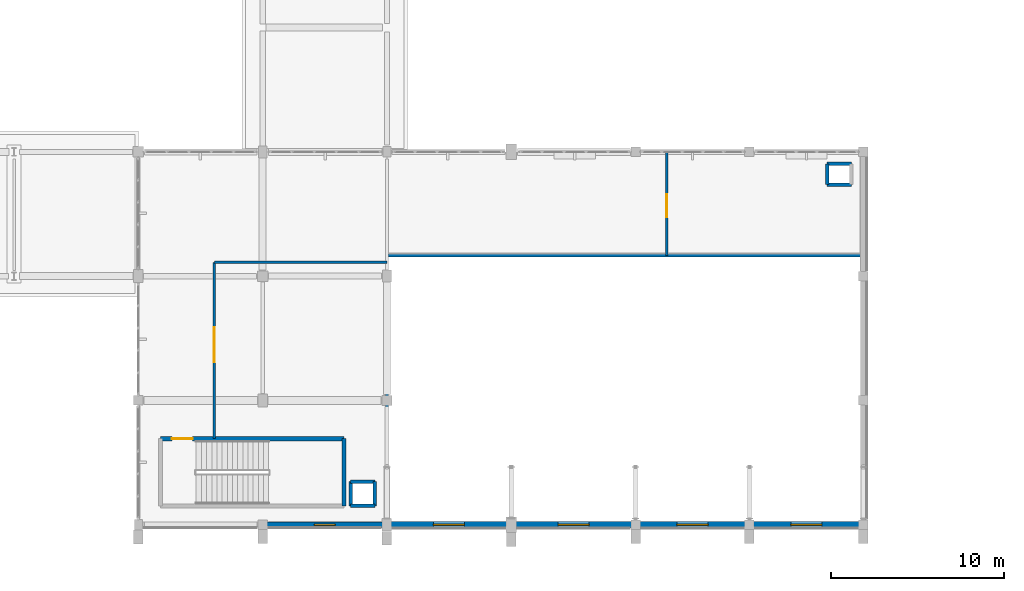
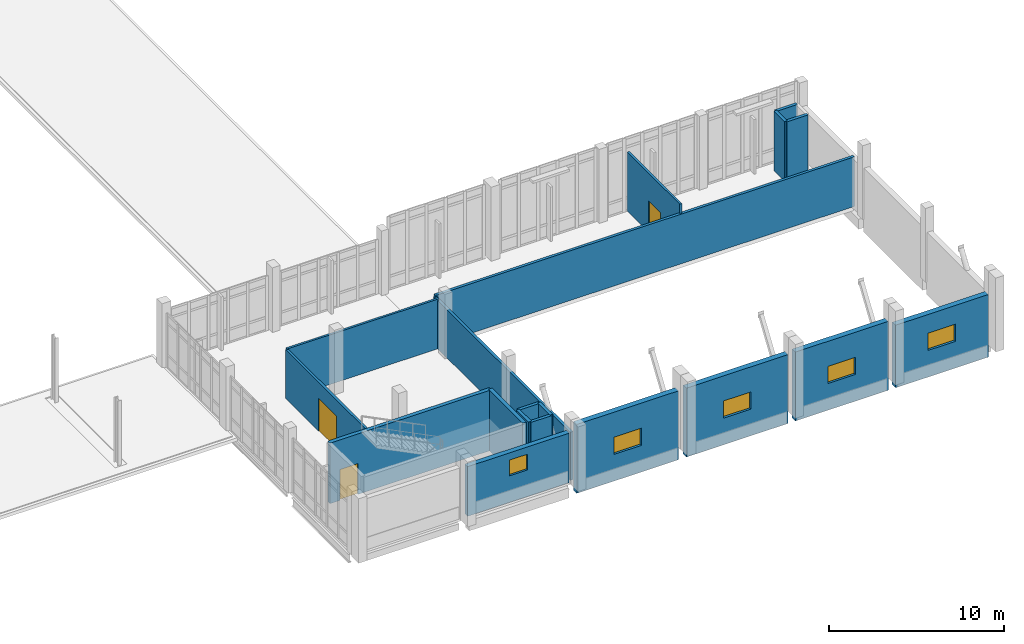
# One storey, part 114 of 134: 19 walls, 5 windows, 3 doors, 8 openings.
"""IFC4 building model written with IfcOpenShell, lengths in metres."""

from ifc_helpers import new_model, si_unit, direction, frame, frame_2d, origin, place, context, subcontext, project, spatial, rectangle, extrude, material, layer, layer_set, type_object, element, fill, save


model = new_model("IFC4")

# Units and contexts
model_context = context("Model", 3, precision=1e-05, world=origin(), true_north=direction((0.0, 1.0)))
body_context = subcontext(model_context, "Body", "Model", "MODEL_VIEW")
ifc_project = project(units=[si_unit("LENGTHUNIT", "METRE"), si_unit("AREAUNIT", "SQUARE_METRE"), si_unit("VOLUMEUNIT", "CUBIC_METRE"), si_unit("PLANEANGLEUNIT", "RADIAN"), si_unit("MASSUNIT", "GRAM", prefix="KILO")], contexts=[model_context])

# Site, building, storey
site_placement = place(None, origin())
site = spatial("IfcSite", under=ifc_project, at=site_placement, CompositionType="ELEMENT")
building_placement = place(site_placement, origin())
building = spatial("IfcBuilding", under=site, at=building_placement, Name="Kalluvel Institute of Natural Sciences", CompositionType="ELEMENT")
storey_placement = place(building_placement, frame((0.0, 0.0, 5.39990234375)))
storey = spatial("IfcBuildingStorey", under=building, at=storey_placement, Name="L01", CompositionType="ELEMENT", Elevation=5.39990234375)

# Wall
ifc_material_1 = material(Name="Concrete M40", Category="concrete")
ifc_layer_1 = layer(ifc_material_1, 0.25)
ifc_layer_set_1 = layer_set([ifc_layer_1], Name="Concrete M40")
wall_type_1 = type_object("IfcWallType", Name="WL-CORE-250", PredefinedType="SHEAR", material=ifc_layer_set_1)
wall_1_placement = place(storey_placement, frame((112.31494140625, 15.0849609375, 0.0), z_axis=(0.0, 0.0, 1.0), x_axis=(0.0, 1.0, 0.0)))
element("IfcWall", 1, at=wall_1_placement, inside=storey, type_object=wall_type_1, Name="ST7 L01 core wall E", PredefinedType="SHEAR", context=body_context, shape_type="SweptSolid", body=[
    extrude(rectangle(XDim=3.900146484375, YDim=0.25, at=frame_2d((1.9501953125, 0.0))), origin(), (0.0, 0.0, 1.0), 4.215087890625),
])

# Wall, opening, door
wall_2_placement = place(storey_placement, frame((112.31494140625, 18.985107421875, 0.0), z_axis=(0.0, 0.0, 1.0), x_axis=(-1.0, 0.0, 0.0)))
wall_2 = element("IfcWall", 2, at=wall_2_placement, inside=storey, type_object=wall_type_1, Name="ST7 L01 core wall N", PredefinedType="SHEAR", context=body_context, shape_type="SweptSolid", body=[
    extrude(rectangle(XDim=10.6298828125, YDim=0.25, at=frame_2d((5.31494140625, 0.0))), origin(), (0.0, 0.0, 1.0), 4.215087890625),
])
opening_1_placement = place(wall_2_placement, frame((8.780029296875, 0.0, 0.0)))
opening_1 = element("IfcOpeningElement", 3, at=opening_1_placement, cuts=wall_2, Name="Opening DS-047", PredefinedType="OPENING", context=body_context, shape_type="SweptSolid", body=[
    extrude(rectangle(XDim=1.199951171875, YDim=2.14990234375, at=frame_2d((0.60009765625, 1.074951171875))), frame((0.0, 0.135009765625, 0.0), z_axis=(0.0, -1.0, 0.0), x_axis=(1.0, 0.0, 0.0)), (0.0, 0.0, 1.0), 0.27001953125),
])
ifc_material_2 = material(Name="Galvanized Fire-Rated Steel", Category="steel")
door_type_1 = type_object("IfcDoorType", Name="DR-ST-1200", OperationType="NOTDEFINED", PredefinedType="DOOR", material=ifc_material_2)
door_1_placement = place(opening_1_placement, origin())
door_1 = element("IfcDoor", 4, at=door_1_placement, inside=storey, type_object=door_type_1, Name="ST7 L01 protected stair door DS-047", OperationType="SINGLE_SWING_RIGHT", OverallHeight=2.14990234375, OverallWidth=1.199951171875, PredefinedType="DOOR", context=body_context, shape_type="SweptSolid", body=[
    extrude(rectangle(XDim=1.199951171875, YDim=2.14990234375, at=frame_2d((0.60009765625, 1.074951171875))), frame((0.0, 0.02490234375, 0.0), z_axis=(0.0, -1.0, 0.0), x_axis=(1.0, 0.0, 0.0)), (0.0, 0.0, 1.0), 0.050048828125),
])
fill(opening_1, door_1)

# Wall, opening, window
ifc_material_3 = material(Name="Sadarahalli Grey Granite Ashlar Concrete M40", Category="masonry")
ifc_layer_2 = layer(ifc_material_3, 0.320068359375)
ifc_layer_set_2 = layer_set([ifc_layer_2], Name="Sadarahalli Grey Granite Ashlar Concrete M40")
wall_type_2 = type_object("IfcWallType", Name="WL-EXT-320", PredefinedType="SOLIDWALL", material=ifc_layer_set_2)
wall_3_placement = place(storey_placement, frame((107.85498046875, 14.0, 0.0), z_axis=(0.0, 0.0, 1.0), x_axis=(1.0, 0.0, 0.0)))
wall_3 = element("IfcWall", 5, at=wall_3_placement, inside=storey, type_object=wall_type_2, Name="L01 Sadarahalli granite exterior wall WL-EXT-L01-0222", PredefinedType="SOLIDWALL", context=body_context, shape_type="SweptSolid", body=[
    extrude(rectangle(XDim=6.68994140625, YDim=0.320068359375, at=frame_2d((3.344970703125, 0.0))), origin(), (0.0, 0.0, 1.0), 3.455078125),
])
opening_2_placement = place(wall_3_placement, frame((2.7451171875, 0.0, 1.85009765625)))
opening_2 = element("IfcOpeningElement", 6, at=opening_2_placement, cuts=wall_3, Name="Opening W-11", PredefinedType="OPENING", context=body_context, shape_type="SweptSolid", body=[
    extrude(rectangle(XDim=1.199951171875, YDim=1.10009765625, at=frame_2d((0.60009765625, 0.550048828125))), frame((0.0, 0.169921875, 0.0), z_axis=(0.0, -1.0, 0.0), x_axis=(1.0, 0.0, 0.0)), (0.0, 0.0, 1.0), 0.340087890625),
])
ifc_material_4 = material(Name="Solar-Control Low-E Laminated Glass", Category="glass")
window_type_1 = type_object("IfcWindowType", Name="WN-HIGH-120x110", PartitioningType="SINGLE_PANEL", PredefinedType="WINDOW", material=ifc_material_4)
window_1_placement = place(opening_2_placement, origin())
window_1 = element("IfcWindow", 7, at=window_1_placement, inside=storey, type_object=window_type_1, Name="L01 Gothic lancet window 36", OverallHeight=1.10009765625, OverallWidth=1.199951171875, PartitioningType="SINGLE_PANEL", PredefinedType="WINDOW", context=body_context, shape_type="SweptSolid", body=[
    extrude(rectangle(XDim=1.199951171875, YDim=1.10009765625, at=frame_2d((0.60009765625, 0.550048828125))), frame((0.0, 0.030029296875, 0.0), z_axis=(0.0, -1.0, 0.0), x_axis=(1.0, 0.0, 0.0)), (0.0, 0.0, 1.0), 0.06005859375),
])
fill(opening_2, window_1)

ifc_layer_3 = layer(ifc_material_3, 0.360107421875)
ifc_layer_set_3 = layer_set([ifc_layer_3], Name="Sadarahalli Grey Granite Ashlar Concrete M40")
wall_type_3 = type_object("IfcWallType", Name="WL-EXT-360", PredefinedType="SOLIDWALL", material=ifc_layer_set_3)
wall_4_placement = place(storey_placement, frame((115.034912109375, 14.0, -0.89990234375), z_axis=(0.0, 0.0, 1.0), x_axis=(1.0, 0.0, 0.0)))
wall_4 = element("IfcWall", 8, at=wall_4_placement, inside=storey, type_object=wall_type_3, Name="L01 Sadarahalli granite exterior wall WL-EXT-L01-0273", PredefinedType="SOLIDWALL", context=body_context, shape_type="SweptSolid", body=[
    extrude(rectangle(XDim=6.705078125, YDim=0.360107421875, at=frame_2d((3.3525390625, 0.0))), origin(), (0.0, 0.0, 1.0), 4.794921875),
])
opening_3_placement = place(wall_4_placement, frame((2.452392578125, 0.0, 1.85009765625)))
opening_3 = element("IfcOpeningElement", 9, at=opening_3_placement, cuts=wall_4, Name="Opening W-13", PredefinedType="OPENING", context=body_context, shape_type="SweptSolid", body=[
    extrude(rectangle(XDim=1.800048828125, YDim=1.199951171875, at=frame_2d((0.89990234375, 0.60009765625))), frame((0.0, 0.18994140625, 0.0), z_axis=(0.0, -1.0, 0.0), x_axis=(1.0, 0.0, 0.0)), (0.0, 0.0, 1.0), 0.380126953125),
])
window_type_2 = type_object("IfcWindowType", Name="WN-HIGH-180x120", PartitioningType="SINGLE_PANEL", PredefinedType="WINDOW", material=ifc_material_4)
window_2_placement = place(opening_3_placement, origin())
window_2 = element("IfcWindow", 10, at=window_2_placement, inside=storey, type_object=window_type_2, Name="L01 Gothic lancet window 57", OverallHeight=1.199951171875, OverallWidth=1.800048828125, PartitioningType="SINGLE_PANEL", PredefinedType="WINDOW", context=body_context, shape_type="SweptSolid", body=[
    extrude(rectangle(XDim=1.800048828125, YDim=1.199951171875, at=frame_2d((0.89990234375, 0.60009765625))), frame((0.0, 0.030029296875, 0.0), z_axis=(0.0, -1.0, 0.0), x_axis=(1.0, 0.0, 0.0)), (0.0, 0.0, 1.0), 0.06005859375),
])
fill(opening_3, window_2)

wall_5_placement = place(storey_placement, frame((122.260009765625, 14.0, -0.89990234375), z_axis=(0.0, 0.0, 1.0), x_axis=(1.0, 0.0, 0.0)))
wall_5 = element("IfcWall", 11, at=wall_5_placement, inside=storey, type_object=wall_type_3, Name="L01 Sadarahalli granite exterior wall WL-EXT-L01-0274", PredefinedType="SOLIDWALL", context=body_context, shape_type="SweptSolid", body=[
    extrude(rectangle(XDim=6.705078125, YDim=0.360107421875, at=frame_2d((3.3525390625, 0.0))), origin(), (0.0, 0.0, 1.0), 4.794921875),
])
opening_4_placement = place(wall_5_placement, frame((2.452392578125, 0.0, 1.85009765625)))
opening_4 = element("IfcOpeningElement", 12, at=opening_4_placement, cuts=wall_5, Name="Opening W-13", PredefinedType="OPENING", context=body_context, shape_type="SweptSolid", body=[
    extrude(rectangle(XDim=1.800048828125, YDim=1.199951171875, at=frame_2d((0.89990234375, 0.60009765625))), frame((0.0, 0.18994140625, 0.0), z_axis=(0.0, -1.0, 0.0), x_axis=(1.0, 0.0, 0.0)), (0.0, 0.0, 1.0), 0.380126953125),
])
window_3_placement = place(opening_4_placement, origin())
window_3 = element("IfcWindow", 13, at=window_3_placement, inside=storey, type_object=window_type_2, Name="L01 Gothic lancet window 58", OverallHeight=1.199951171875, OverallWidth=1.800048828125, PartitioningType="SINGLE_PANEL", PredefinedType="WINDOW", context=body_context, shape_type="SweptSolid", body=[
    extrude(rectangle(XDim=1.800048828125, YDim=1.199951171875, at=frame_2d((0.89990234375, 0.60009765625))), frame((0.0, 0.030029296875, 0.0), z_axis=(0.0, -1.0, 0.0), x_axis=(1.0, 0.0, 0.0)), (0.0, 0.0, 1.0), 0.06005859375),
])
fill(opening_4, window_3)

wall_6_placement = place(storey_placement, frame((129.43505859375, 14.0, -0.89990234375), z_axis=(0.0, 0.0, 1.0), x_axis=(1.0, 0.0, 0.0)))
wall_6 = element("IfcWall", 14, at=wall_6_placement, inside=storey, type_object=wall_type_3, Name="L01 Sadarahalli granite exterior wall WL-EXT-L01-0275", PredefinedType="SOLIDWALL", context=body_context, shape_type="SweptSolid", body=[
    extrude(rectangle(XDim=6.1298828125, YDim=0.360107421875, at=frame_2d((3.06494140625, 0.0))), origin(), (0.0, 0.0, 1.0), 4.794921875),
])
opening_5_placement = place(wall_6_placement, frame((2.1650390625, 0.0, 1.85009765625)))
opening_5 = element("IfcOpeningElement", 15, at=opening_5_placement, cuts=wall_6, Name="Opening W-13", PredefinedType="OPENING", context=body_context, shape_type="SweptSolid", body=[
    extrude(rectangle(XDim=1.800048828125, YDim=1.199951171875, at=frame_2d((0.89990234375, 0.60009765625))), frame((0.0, 0.18994140625, 0.0), z_axis=(0.0, -1.0, 0.0), x_axis=(1.0, 0.0, 0.0)), (0.0, 0.0, 1.0), 0.380126953125),
])
window_4_placement = place(opening_5_placement, origin())
window_4 = element("IfcWindow", 16, at=window_4_placement, inside=storey, type_object=window_type_2, Name="L01 Gothic lancet window 59", OverallHeight=1.199951171875, OverallWidth=1.800048828125, PartitioningType="SINGLE_PANEL", PredefinedType="WINDOW", context=body_context, shape_type="SweptSolid", body=[
    extrude(rectangle(XDim=1.800048828125, YDim=1.199951171875, at=frame_2d((0.89990234375, 0.60009765625))), frame((0.0, 0.030029296875, 0.0), z_axis=(0.0, -1.0, 0.0), x_axis=(1.0, 0.0, 0.0)), (0.0, 0.0, 1.0), 0.06005859375),
])
fill(opening_5, window_4)

wall_7_placement = place(storey_placement, frame((136.034912109375, 14.0, -0.89990234375), z_axis=(0.0, 0.0, 1.0), x_axis=(1.0, 0.0, 0.0)))
wall_7 = element("IfcWall", 17, at=wall_7_placement, inside=storey, type_object=wall_type_3, Name="L01 Sadarahalli granite exterior wall WL-EXT-L01-0276", PredefinedType="SOLIDWALL", context=body_context, shape_type="SweptSolid", body=[
    extrude(rectangle(XDim=6.130126953125, YDim=0.360107421875, at=frame_2d((3.06494140625, 0.0))), origin(), (0.0, 0.0, 1.0), 4.35498046875),
])
opening_6_placement = place(wall_7_placement, frame((2.1650390625, 0.0, 1.85009765625)))
opening_6 = element("IfcOpeningElement", 18, at=opening_6_placement, cuts=wall_7, Name="Opening W-13", PredefinedType="OPENING", context=body_context, shape_type="SweptSolid", body=[
    extrude(rectangle(XDim=1.800048828125, YDim=1.199951171875, at=frame_2d((0.89990234375, 0.60009765625))), frame((0.0, 0.18994140625, 0.0), z_axis=(0.0, -1.0, 0.0), x_axis=(1.0, 0.0, 0.0)), (0.0, 0.0, 1.0), 0.380126953125),
])
window_5_placement = place(opening_6_placement, origin())
window_5 = element("IfcWindow", 19, at=window_5_placement, inside=storey, type_object=window_type_2, Name="L01 Gothic lancet window 60", OverallHeight=1.199951171875, OverallWidth=1.800048828125, PartitioningType="SINGLE_PANEL", PredefinedType="WINDOW", context=body_context, shape_type="SweptSolid", body=[
    extrude(rectangle(XDim=1.800048828125, YDim=1.199951171875, at=frame_2d((0.89990234375, 0.60009765625))), frame((0.0, 0.030029296875, 0.0), z_axis=(0.0, -1.0, 0.0), x_axis=(1.0, 0.0, 0.0)), (0.0, 0.0, 1.0), 0.06005859375),
])
fill(opening_6, window_5)

# Walls
ifc_material_5 = material(Name="Autoclaved Aerated Concrete Masonry Block", Category="masonry")
ifc_layer_4 = layer(ifc_material_5, 0.179931640625)
ifc_layer_set_4 = layer_set([ifc_layer_4], Name="Autoclaved Aerated Concrete Masonry Block")
wall_type_4 = type_object("IfcWallType", Name="WL-FIRE-180", PredefinedType="SOLIDWALL", material=ifc_layer_set_4)
wall_8_placement = place(storey_placement, frame((114.800048828125, 29.60009765625, 0.0), z_axis=(0.0, 0.0, 1.0), x_axis=(1.0, 0.0, 0.0)))
element("IfcWall", 20, at=wall_8_placement, inside=storey, type_object=wall_type_4, Name="L01 interior fire wall WL-INT-L01-0123", PredefinedType="SOLIDWALL", context=body_context, shape_type="SweptSolid", body=[
    extrude(rectangle(XDim=27.599853515625, YDim=0.179931640625, at=frame_2d((13.7998046875, 0.0))), origin(), (0.0, 0.0, 1.0), 3.460205078125),
])
wall_9_placement = place(storey_placement, frame((114.800048828125, 14.0, 0.0), z_axis=(0.0, 0.0, 1.0), x_axis=(0.0, 1.0, 0.0)))
element("IfcWall", 21, at=wall_9_placement, inside=storey, type_object=wall_type_4, Name="L01 interior fire wall WL-INT-L01-0125", PredefinedType="SOLIDWALL", context=body_context, shape_type="SweptSolid", body=[
    extrude(rectangle(XDim=15.60009765625, YDim=0.179931640625, at=frame_2d((7.800048828125, 0.0))), origin(), (0.0, 0.0, 1.0), 3.360107421875),
])
ifc_material_6 = material(Name="Acoustic Gypsum Twin-Stud Partition", Category="gypsum")
ifc_layer_5 = layer(ifc_material_6, 0.139892578125)
ifc_layer_set_5 = layer_set([ifc_layer_5], Name="Acoustic Gypsum Twin-Stud Partition")
wall_type_5 = type_object("IfcWallType", Name="WL-PART-140", PredefinedType="PARTITIONING", material=ifc_layer_set_5)
wall_10_placement = place(storey_placement, frame((104.800048828125, 29.199951171875, 0.0), z_axis=(0.0, 0.0, 1.0), x_axis=(1.0, 0.0, 0.0)))
element("IfcWall", 22, at=wall_10_placement, inside=storey, type_object=wall_type_5, Name="L01 interior partition wall WL-INT-L01-0115", PredefinedType="PARTITIONING", context=body_context, shape_type="SweptSolid", body=[
    extrude(rectangle(XDim=10.0, YDim=0.139892578125, at=frame_2d((5.0, 0.0))), origin(), (0.0, 0.0, 1.0), 3.460205078125),
])

# Wall, opening, door
wall_11_placement = place(storey_placement, frame((131.0, 29.60009765625, 0.0), z_axis=(0.0, 0.0, 1.0), x_axis=(0.0, 1.0, 0.0)))
wall_11 = element("IfcWall", 23, at=wall_11_placement, inside=storey, type_object=wall_type_5, Name="L01 interior partition wall WL-INT-L01-0124", PredefinedType="PARTITIONING", context=body_context, shape_type="SweptSolid", body=[
    extrude(rectangle(XDim=6.0, YDim=0.139892578125, at=frame_2d((3.0, 0.0))), origin(), (0.0, 0.0, 1.0), 4.1201171875),
])
opening_7_placement = place(wall_11_placement, frame((2.199951171875, 0.0, 0.0)))
opening_7 = element("IfcOpeningElement", 24, at=opening_7_placement, cuts=wall_11, Name="Opening D-120", PredefinedType="OPENING", context=body_context, shape_type="SweptSolid", body=[
    extrude(rectangle(XDim=1.35009765625, YDim=2.199951171875, at=frame_2d((0.675048828125, 1.10009765625))), frame((0.0, 0.079833984375, 0.0), z_axis=(0.0, -1.0, 0.0), x_axis=(1.0, 0.0, 0.0)), (0.0, 0.0, 1.0), 0.159912109375),
])
ifc_material_7 = material(Name="Aluminium AW-6063 T6", Category="aluminium")
door_type_2 = type_object("IfcDoorType", Name="DR-INT-1350", OperationType="NOTDEFINED", PredefinedType="DOOR", material=ifc_material_7)
door_2_placement = place(opening_7_placement, origin())
door_2 = element("IfcDoor", 25, at=door_2_placement, inside=storey, type_object=door_type_2, Name="Projection Suite door D-120", OperationType="SINGLE_SWING_RIGHT", OverallHeight=2.199951171875, OverallWidth=1.35009765625, PredefinedType="DOOR", context=body_context, shape_type="SweptSolid", body=[
    extrude(rectangle(XDim=1.35009765625, YDim=2.199951171875, at=frame_2d((0.675048828125, 1.10009765625))), frame((0.0, 0.02490234375, 0.0), z_axis=(0.0, -1.0, 0.0), x_axis=(1.0, 0.0, 0.0)), (0.0, 0.0, 1.0), 0.050048828125),
])
fill(opening_7, door_2)

ifc_layer_6 = layer(ifc_material_5, 0.159912109375)
ifc_layer_set_6 = layer_set([ifc_layer_6], Name="Autoclaved Aerated Concrete Masonry Block")
wall_type_6 = type_object("IfcWallType", Name="WL-PART-160", PredefinedType="PARTITIONING", material=ifc_layer_set_6)
wall_12_placement = place(storey_placement, frame((104.800048828125, 19.0, 0.0), z_axis=(0.0, 0.0, 1.0), x_axis=(0.0, 1.0, 0.0)))
wall_12 = element("IfcWall", 26, at=wall_12_placement, inside=storey, type_object=wall_type_6, Name="L01 interior partition wall WL-INT-L01-0114", PredefinedType="PARTITIONING", context=body_context, shape_type="SweptSolid", body=[
    extrude(rectangle(XDim=10.199951171875, YDim=0.159912109375, at=frame_2d((5.10009765625, 0.0))), origin(), (0.0, 0.0, 1.0), 3.41015625),
])
opening_8_placement = place(wall_12_placement, frame((4.39990234375, 0.0, 0.0)))
opening_8 = element("IfcOpeningElement", 27, at=opening_8_placement, cuts=wall_12, Name="Opening D-116", PredefinedType="OPENING", context=body_context, shape_type="SweptSolid", body=[
    extrude(rectangle(XDim=2.050048828125, YDim=2.300048828125, at=frame_2d((1.02490234375, 1.14990234375))), frame((0.0, 0.08984375, 0.0), z_axis=(0.0, -1.0, 0.0), x_axis=(1.0, 0.0, 0.0)), (0.0, 0.0, 1.0), 0.179931640625),
])
door_type_3 = type_object("IfcDoorType", Name="DR-DBL-2050", OperationType="NOTDEFINED", PredefinedType="DOOR", material=ifc_material_7)
door_3_placement = place(opening_8_placement, origin())
door_3 = element("IfcDoor", 28, at=door_3_placement, inside=storey, type_object=door_type_3, Name="First-Floor Botanical Illustration and Reading Commons door D-116", OperationType="DOUBLE_DOOR_SINGLE_SWING", OverallHeight=2.300048828125, OverallWidth=2.050048828125, PredefinedType="DOOR", context=body_context, shape_type="SweptSolid", body=[
    extrude(rectangle(XDim=2.050048828125, YDim=2.300048828125, at=frame_2d((1.02490234375, 1.14990234375))), frame((0.0, 0.02490234375, 0.0), z_axis=(0.0, -1.0, 0.0), x_axis=(1.0, 0.0, 0.0)), (0.0, 0.0, 1.0), 0.050048828125),
])
fill(opening_8, door_3)

# Walls
ifc_layer_7 = layer(ifc_material_1, 0.199951171875)
ifc_layer_set_7 = layer_set([ifc_layer_7], Name="Concrete M40")
wall_type_7 = type_object("IfcWallType", Name="WL-RISER-200", PredefinedType="SHEAR", material=ifc_layer_set_7)
for number, where, z_axis, x_axis, name in (
    (29, (140.300048828125, 33.699951171875, 0.0), (0.0, 0.0, 1.0), (1.0, 0.0, 0.0), "RS-LEC L01 service riser enclosure S"),
    (30, (141.699951171875, 34.89990234375, 0.0), (0.0, 0.0, 1.0), (-1.0, 0.0, 0.0), "RS-LEC L01 service riser enclosure N"),
):
    element("IfcWall", number, at=place(storey_placement, frame(where, z_axis=z_axis, x_axis=x_axis)), inside=storey, type_object=wall_type_7, Name=name, PredefinedType="SHEAR", context=body_context, shape_type="SweptSolid", body=[
        extrude(rectangle(XDim=1.39990234375, YDim=0.199951171875, at=frame_2d((0.699951171875, 0.0))), origin(), (0.0, 0.0, 1.0), 4.14013671875),
    ])
wall_13_placement = place(storey_placement, frame((140.300048828125, 34.89990234375, 0.0), z_axis=(0.0, 0.0, 1.0), x_axis=(0.0, -1.0, 0.0)))
element("IfcWall", 31, at=wall_13_placement, inside=storey, type_object=wall_type_7, Name="RS-LEC L01 service riser enclosure W", PredefinedType="SHEAR", context=body_context, shape_type="SweptSolid", body=[
    extrude(rectangle(XDim=1.199951171875, YDim=0.199951171875, at=frame_2d((0.60009765625, 0.0))), origin(), (0.0, 0.0, 1.0), 4.14013671875),
])
wall_14_placement = place(storey_placement, frame((112.699951171875, 15.10009765625, 0.0), z_axis=(0.0, 0.0, 1.0), x_axis=(1.0, 0.0, 0.0)))
element("IfcWall", 32, at=wall_14_placement, inside=storey, type_object=wall_type_7, Name="RS-ECOM L01 service riser enclosure S", PredefinedType="SHEAR", context=body_context, shape_type="SweptSolid", body=[
    extrude(rectangle(XDim=1.400146484375, YDim=0.199951171875, at=frame_2d((0.7001953125, 0.0))), origin(), (0.0, 0.0, 1.0), 4.14013671875),
])
wall_15_placement = place(storey_placement, frame((114.10009765625, 15.10009765625, 0.0), z_axis=(0.0, 0.0, 1.0), x_axis=(0.0, 1.0, 0.0)))
element("IfcWall", 33, at=wall_15_placement, inside=storey, type_object=wall_type_7, Name="RS-ECOM L01 service riser enclosure E", PredefinedType="SHEAR", context=body_context, shape_type="SweptSolid", body=[
    extrude(rectangle(XDim=1.39990234375, YDim=0.199951171875, at=frame_2d((0.699951171875, 0.0))), origin(), (0.0, 0.0, 1.0), 4.14013671875),
])
wall_16_placement = place(storey_placement, frame((114.10009765625, 16.5, 0.0), z_axis=(0.0, 0.0, 1.0), x_axis=(-1.0, 0.0, 0.0)))
element("IfcWall", 34, at=wall_16_placement, inside=storey, type_object=wall_type_7, Name="RS-ECOM L01 service riser enclosure N", PredefinedType="SHEAR", context=body_context, shape_type="SweptSolid", body=[
    extrude(rectangle(XDim=1.400146484375, YDim=0.199951171875, at=frame_2d((0.7001953125, 0.0))), origin(), (0.0, 0.0, 1.0), 4.14013671875),
])
wall_17_placement = place(storey_placement, frame((112.699951171875, 16.5, 0.0), z_axis=(0.0, 0.0, 1.0), x_axis=(0.0, -1.0, 0.0)))
element("IfcWall", 35, at=wall_17_placement, inside=storey, type_object=wall_type_7, Name="RS-ECOM L01 service riser enclosure W", PredefinedType="SHEAR", context=body_context, shape_type="SweptSolid", body=[
    extrude(rectangle(XDim=1.39990234375, YDim=0.199951171875, at=frame_2d((0.699951171875, 0.0))), origin(), (0.0, 0.0, 1.0), 4.14013671875),
])

save(model, "model.ifc")
